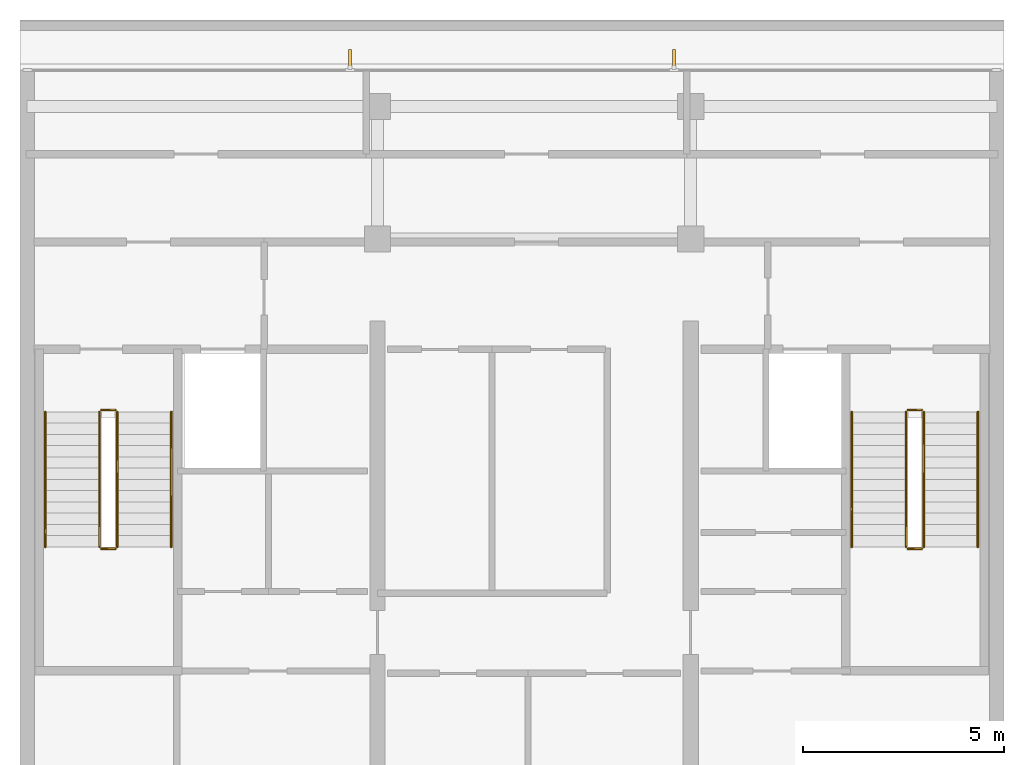
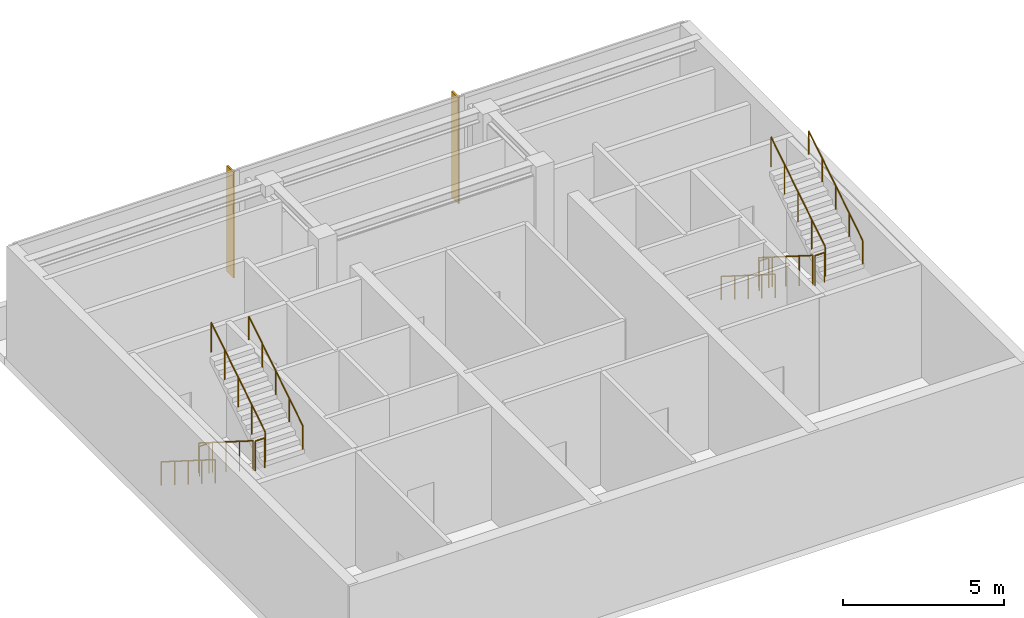
# One storey, part 4 of 4: 12 railings, 2 shading devices.
"""IFC4 building model written with IfcOpenShell, lengths in metres."""

from ifc_helpers import new_model, si_unit, direction, frame, origin, origin_2d, place, context, subcontext, project, spatial, polyline, circle, outline, extrude, material, layer, layer_set, type_object, element, save


model = new_model("IFC4")

# Units and contexts
model_context = context("Model", 3, precision=1e-05, world=origin(), true_north=direction((0.0, 1.0)))
body_context = subcontext(model_context, "Body", "Model", "MODEL_VIEW")
ifc_project = project(units=[si_unit("LENGTHUNIT", "METRE"), si_unit("AREAUNIT", "SQUARE_METRE"), si_unit("VOLUMEUNIT", "CUBIC_METRE"), si_unit("PLANEANGLEUNIT", "RADIAN"), si_unit("MASSUNIT", "GRAM", prefix="KILO")], contexts=[model_context])

# Site, building, storey
site_placement = place(None, origin())
site = spatial("IfcSite", under=ifc_project, at=site_placement, CompositionType="ELEMENT")
building_placement = place(site_placement, origin())
building = spatial("IfcBuilding", under=site, at=building_placement, Name="Qalmaran Belvedere Hotel", CompositionType="ELEMENT")
storey_placement = place(building_placement, frame((0.0, 0.0, 312.5)))
storey = spatial("IfcBuildingStorey", under=building, at=storey_placement, Name="C04", CompositionType="ELEMENT", Elevation=312.5)

# Shading devices
ifc_material_1 = material(Name="Anodised Bronze Aluminium", Category="aluminium")
ifc_layer = layer(ifc_material_1, 0.06494140625, Name="Anodised Bronze Aluminium")
ifc_layer_set = layer_set([ifc_layer], Name="Anodised Bronze Aluminium")
shading_device_type = type_object("IfcShadingDeviceType", Name="FIN-BRNZ-420", PredefinedType="USERDEFINED", material=ifc_layer_set)
shading_device_1_placement = place(storey_placement, frame((0.0, 0.0, 0.159912109375)))
element("IfcShadingDevice", 1, at=shading_device_1_placement, inside=storey, type_object=shading_device_type, Name="C04 Bronze Fin 1", ObjectType="FIN", PredefinedType="USERDEFINED", context=body_context, shape_type="SweptSolid", body=[
    extrude(outline(polyline([(36.61572265625, 24.79248046875), (36.61572265625, 25.21240234375), (36.55078125, 25.21240234375), (36.55078125, 24.79248046875), (36.61572265625, 24.79248046875)])), origin(), (0.0, 0.0, 1.0), 4.02001953125),
])
shading_device_2_placement = place(storey_placement, frame((0.0, 0.0, 0.159912109375)))
element("IfcShadingDevice", 2, at=shading_device_2_placement, inside=storey, type_object=shading_device_type, Name="C04 Bronze Fin 2", ObjectType="FIN", PredefinedType="USERDEFINED", context=body_context, shape_type="SweptSolid", body=[
    extrude(outline(polyline([(28.54931640625, 24.79248046875), (28.54931640625, 25.21240234375), (28.484130859375, 25.21240234375), (28.484130859375, 24.79248046875), (28.54931640625, 24.79248046875)])), origin(), (0.0, 0.0, 1.0), 4.02001953125),
])

# Railings
ifc_material_2 = material(Name="Stainless Steel 1.4401", Category="steel")
railing_type_1 = type_object("IfcRailingType", Name="RLG-STAIR-GUARD-1150", PredefinedType="GUARDRAIL", material=ifc_material_2)
railing_1_placement = place(storey_placement, frame((22.280029296875, 16.18994140625, 0.177001953125)))
element("IfcRailing", 3, at=railing_1_placement, inside=storey, type_object=railing_type_1, Name="C04 ST-1 stair guard 1", PredefinedType="GUARDRAIL", context=body_context, shape_type="SweptSolid", body=[
    extrude(circle(Radius=0.02392578125, at=origin_2d()), frame((0.0, 0.0, 1.1259765625), z_axis=(0.0, -0.845372108799, 0.534177870812), x_axis=(1.0, 0.0, 0.0)), (0.0, 0.0, 1.0), 3.974365234375),
    extrude(circle(Radius=0.02099609375, at=origin_2d()), origin(), (0.0, 0.0, 1.0), 1.101806640625),
    extrude(circle(Radius=0.02099609375, at=origin_2d()), frame((0.0, -0.83984375, 0.53076171875)), (0.0, 0.0, 1.0), 1.101806640625),
    extrude(circle(Radius=0.02099609375, at=origin_2d()), frame((0.0, -1.679931640625, 1.0615234375)), (0.0, 0.0, 1.0), 1.101806640625),
    extrude(circle(Radius=0.02099609375, at=origin_2d()), frame((0.0, -2.52001953125, 1.59228515625)), (0.0, 0.0, 1.0), 1.101806640625),
    extrude(circle(Radius=0.02099609375, at=origin_2d()), frame((0.0, -3.35986328125, 2.123046875)), (0.0, 0.0, 1.0), 1.101806640625),
])
railing_2_placement = place(storey_placement, frame((22.330078125, 12.780029296875, 2.300048828125)))
element("IfcRailing", 4, at=railing_2_placement, inside=storey, type_object=railing_type_1, Name="C04 ST-1 stair guard 2", PredefinedType="GUARDRAIL", context=body_context, shape_type="SweptSolid", body=[
    extrude(circle(Radius=0.02392578125, at=origin_2d()), frame((0.0, 0.0, 1.1259765625), z_axis=(1.0, 0.0, 0.0), x_axis=(0.0, 1.0, 0.0)), (0.0, 0.0, 1.0), 0.33984375),
    extrude(circle(Radius=0.02099609375, at=origin_2d()), origin(), (0.0, 0.0, 1.0), 1.101806640625),
    extrude(circle(Radius=0.02099609375, at=origin_2d()), frame((0.33984375, 0.0, 0.0)), (0.0, 0.0, 1.0), 1.101806640625),
])
railing_3_placement = place(storey_placement, frame((22.719970703125, 12.830078125, 2.476806640625)))
element("IfcRailing", 5, at=railing_3_placement, inside=storey, type_object=railing_type_1, Name="C04 ST-1 stair guard 3", PredefinedType="GUARDRAIL", context=body_context, shape_type="SweptSolid", body=[
    extrude(circle(Radius=0.02392578125, at=origin_2d()), frame((0.0, 0.0, 1.1259765625), z_axis=(0.0, 0.845344368971, 0.534221768416), x_axis=(-1.0, 0.0, 0.0)), (0.0, 0.0, 1.0), 3.974609375),
    extrude(circle(Radius=0.02099609375, at=origin_2d()), origin(), (0.0, 0.0, 1.0), 1.101806640625),
    extrude(circle(Radius=0.02099609375, at=origin_2d()), frame((0.0, 0.83984375, 0.53076171875)), (0.0, 0.0, 1.0), 1.101806640625),
    extrude(circle(Radius=0.02099609375, at=origin_2d()), frame((0.0, 1.679931640625, 1.0615234375)), (0.0, 0.0, 1.0), 1.101806640625),
    extrude(circle(Radius=0.02099609375, at=origin_2d()), frame((0.0, 2.52001953125, 1.592529296875)), (0.0, 0.0, 1.0), 1.101806640625),
    extrude(circle(Radius=0.02099609375, at=origin_2d()), frame((0.0, 3.35986328125, 2.123291015625)), (0.0, 0.0, 1.0), 1.101806640625),
])
railing_4_placement = place(storey_placement, frame((22.330078125, 16.239990234375, 0.0)))
element("IfcRailing", 6, at=railing_4_placement, inside=storey, type_object=railing_type_1, Name="C04 ST-1 stair guard 4", PredefinedType="GUARDRAIL", context=body_context, shape_type="SweptSolid", body=[
    extrude(circle(Radius=0.02392578125, at=origin_2d()), frame((0.0, 0.0, 1.1259765625), z_axis=(1.0, 0.0, 0.0), x_axis=(0.0, 1.0, 0.0)), (0.0, 0.0, 1.0), 0.33984375),
    extrude(circle(Radius=0.02099609375, at=origin_2d()), origin(), (0.0, 0.0, 1.0), 1.101806640625),
    extrude(circle(Radius=0.02099609375, at=origin_2d()), frame((0.33984375, 0.0, 0.0)), (0.0, 0.0, 1.0), 1.101806640625),
])
railing_5_placement = place(storey_placement, frame((42.360107421875, 16.18994140625, 0.177001953125)))
element("IfcRailing", 7, at=railing_5_placement, inside=storey, type_object=railing_type_1, Name="C04 ST-2 stair guard 1", PredefinedType="GUARDRAIL", context=body_context, shape_type="SweptSolid", body=[
    extrude(circle(Radius=0.02392578125, at=origin_2d()), frame((0.0, 0.0, 1.1259765625), z_axis=(0.0, -0.845372108799, 0.534177870812), x_axis=(1.0, 0.0, 0.0)), (0.0, 0.0, 1.0), 3.974365234375),
    extrude(circle(Radius=0.02099609375, at=origin_2d()), origin(), (0.0, 0.0, 1.0), 1.101806640625),
    extrude(circle(Radius=0.02099609375, at=origin_2d()), frame((0.0, -0.83984375, 0.53076171875)), (0.0, 0.0, 1.0), 1.101806640625),
    extrude(circle(Radius=0.02099609375, at=origin_2d()), frame((0.0, -1.679931640625, 1.0615234375)), (0.0, 0.0, 1.0), 1.101806640625),
    extrude(circle(Radius=0.02099609375, at=origin_2d()), frame((0.0, -2.52001953125, 1.59228515625)), (0.0, 0.0, 1.0), 1.101806640625),
    extrude(circle(Radius=0.02099609375, at=origin_2d()), frame((0.0, -3.35986328125, 2.123046875)), (0.0, 0.0, 1.0), 1.101806640625),
])
railing_6_placement = place(storey_placement, frame((42.409912109375, 12.780029296875, 2.300048828125)))
element("IfcRailing", 8, at=railing_6_placement, inside=storey, type_object=railing_type_1, Name="C04 ST-2 stair guard 2", PredefinedType="GUARDRAIL", context=body_context, shape_type="SweptSolid", body=[
    extrude(circle(Radius=0.02392578125, at=origin_2d()), frame((0.0, 0.0, 1.1259765625), z_axis=(1.0, 0.0, 0.0), x_axis=(0.0, 1.0, 0.0)), (0.0, 0.0, 1.0), 0.340087890625),
    extrude(circle(Radius=0.02099609375, at=origin_2d()), origin(), (0.0, 0.0, 1.0), 1.101806640625),
    extrude(circle(Radius=0.02099609375, at=origin_2d()), frame((0.340087890625, 0.0, 0.0)), (0.0, 0.0, 1.0), 1.101806640625),
])
railing_7_placement = place(storey_placement, frame((42.800048828125, 12.830078125, 2.476806640625)))
element("IfcRailing", 9, at=railing_7_placement, inside=storey, type_object=railing_type_1, Name="C04 ST-2 stair guard 3", PredefinedType="GUARDRAIL", context=body_context, shape_type="SweptSolid", body=[
    extrude(circle(Radius=0.02392578125, at=origin_2d()), frame((0.0, 0.0, 1.1259765625), z_axis=(0.0, 0.845344368971, 0.534221768416), x_axis=(-1.0, 0.0, 0.0)), (0.0, 0.0, 1.0), 3.974609375),
    extrude(circle(Radius=0.02099609375, at=origin_2d()), origin(), (0.0, 0.0, 1.0), 1.101806640625),
    extrude(circle(Radius=0.02099609375, at=origin_2d()), frame((0.0, 0.83984375, 0.53076171875)), (0.0, 0.0, 1.0), 1.101806640625),
    extrude(circle(Radius=0.02099609375, at=origin_2d()), frame((0.0, 1.679931640625, 1.0615234375)), (0.0, 0.0, 1.0), 1.101806640625),
    extrude(circle(Radius=0.02099609375, at=origin_2d()), frame((0.0, 2.52001953125, 1.592529296875)), (0.0, 0.0, 1.0), 1.101806640625),
    extrude(circle(Radius=0.02099609375, at=origin_2d()), frame((0.0, 3.35986328125, 2.123291015625)), (0.0, 0.0, 1.0), 1.101806640625),
])
railing_8_placement = place(storey_placement, frame((42.409912109375, 16.239990234375, 0.0)))
element("IfcRailing", 10, at=railing_8_placement, inside=storey, type_object=railing_type_1, Name="C04 ST-2 stair guard 4", PredefinedType="GUARDRAIL", context=body_context, shape_type="SweptSolid", body=[
    extrude(circle(Radius=0.02392578125, at=origin_2d()), frame((0.0, 0.0, 1.1259765625), z_axis=(1.0, 0.0, 0.0), x_axis=(0.0, 1.0, 0.0)), (0.0, 0.0, 1.0), 0.340087890625),
    extrude(circle(Radius=0.02099609375, at=origin_2d()), origin(), (0.0, 0.0, 1.0), 1.101806640625),
    extrude(circle(Radius=0.02099609375, at=origin_2d()), frame((0.340087890625, 0.0, 0.0)), (0.0, 0.0, 1.0), 1.101806640625),
])
railing_type_2 = type_object("IfcRailingType", Name="RLG-STAIR-HAND-910", PredefinedType="HANDRAIL", material=ifc_material_2)
railing_9_placement = place(storey_placement, frame((20.929931640625, 16.18994140625, 0.177001953125)))
element("IfcRailing", 11, at=railing_9_placement, inside=storey, type_object=railing_type_2, Name="C04 ST-1 stair handrail 1", PredefinedType="HANDRAIL", context=body_context, shape_type="SweptSolid", body=[
    extrude(circle(Radius=0.02392578125, at=origin_2d()), frame((0.0, 0.0, 0.8857421875), z_axis=(0.0, -0.845372108799, 0.534177870812), x_axis=(1.0, 0.0, 0.0)), (0.0, 0.0, 1.0), 3.974365234375),
    extrude(circle(Radius=0.02099609375, at=origin_2d()), origin(), (0.0, 0.0, 1.0), 0.86181640625),
    extrude(circle(Radius=0.02099609375, at=origin_2d()), frame((0.0, -0.83984375, 0.53076171875)), (0.0, 0.0, 1.0), 0.86181640625),
    extrude(circle(Radius=0.02099609375, at=origin_2d()), frame((0.0, -1.679931640625, 1.0615234375)), (0.0, 0.0, 1.0), 0.86181640625),
    extrude(circle(Radius=0.02099609375, at=origin_2d()), frame((0.0, -2.52001953125, 1.59228515625)), (0.0, 0.0, 1.0), 0.86181640625),
    extrude(circle(Radius=0.02099609375, at=origin_2d()), frame((0.0, -3.35986328125, 2.123046875)), (0.0, 0.0, 1.0), 0.86181640625),
])
railing_10_placement = place(storey_placement, frame((24.070068359375, 12.830078125, 2.476806640625)))
element("IfcRailing", 12, at=railing_10_placement, inside=storey, type_object=railing_type_2, Name="C04 ST-1 stair handrail 2", PredefinedType="HANDRAIL", context=body_context, shape_type="SweptSolid", body=[
    extrude(circle(Radius=0.02392578125, at=origin_2d()), frame((0.0, 0.0, 0.8857421875), z_axis=(0.0, 0.845344368971, 0.534221768416), x_axis=(-1.0, 0.0, 0.0)), (0.0, 0.0, 1.0), 3.974609375),
    extrude(circle(Radius=0.02099609375, at=origin_2d()), origin(), (0.0, 0.0, 1.0), 0.86181640625),
    extrude(circle(Radius=0.02099609375, at=origin_2d()), frame((0.0, 0.83984375, 0.53076171875)), (0.0, 0.0, 1.0), 0.86181640625),
    extrude(circle(Radius=0.02099609375, at=origin_2d()), frame((0.0, 1.679931640625, 1.0615234375)), (0.0, 0.0, 1.0), 0.86181640625),
    extrude(circle(Radius=0.02099609375, at=origin_2d()), frame((0.0, 2.52001953125, 1.592529296875)), (0.0, 0.0, 1.0), 0.86181640625),
    extrude(circle(Radius=0.02099609375, at=origin_2d()), frame((0.0, 3.35986328125, 2.123291015625)), (0.0, 0.0, 1.0), 0.86181640625),
])
railing_11_placement = place(storey_placement, frame((41.010009765625, 16.18994140625, 0.177001953125)))
element("IfcRailing", 13, at=railing_11_placement, inside=storey, type_object=railing_type_2, Name="C04 ST-2 stair handrail 1", PredefinedType="HANDRAIL", context=body_context, shape_type="SweptSolid", body=[
    extrude(circle(Radius=0.02392578125, at=origin_2d()), frame((0.0, 0.0, 0.8857421875), z_axis=(0.0, -0.845372108799, 0.534177870812), x_axis=(1.0, 0.0, 0.0)), (0.0, 0.0, 1.0), 3.974365234375),
    extrude(circle(Radius=0.02099609375, at=origin_2d()), origin(), (0.0, 0.0, 1.0), 0.86181640625),
    extrude(circle(Radius=0.02099609375, at=origin_2d()), frame((0.0, -0.83984375, 0.53076171875)), (0.0, 0.0, 1.0), 0.86181640625),
    extrude(circle(Radius=0.02099609375, at=origin_2d()), frame((0.0, -1.679931640625, 1.0615234375)), (0.0, 0.0, 1.0), 0.86181640625),
    extrude(circle(Radius=0.02099609375, at=origin_2d()), frame((0.0, -2.52001953125, 1.59228515625)), (0.0, 0.0, 1.0), 0.86181640625),
    extrude(circle(Radius=0.02099609375, at=origin_2d()), frame((0.0, -3.35986328125, 2.123046875)), (0.0, 0.0, 1.0), 0.86181640625),
])
railing_12_placement = place(storey_placement, frame((44.14990234375, 12.830078125, 2.476806640625)))
element("IfcRailing", 14, at=railing_12_placement, inside=storey, type_object=railing_type_2, Name="C04 ST-2 stair handrail 2", PredefinedType="HANDRAIL", context=body_context, shape_type="SweptSolid", body=[
    extrude(circle(Radius=0.02392578125, at=origin_2d()), frame((0.0, 0.0, 0.8857421875), z_axis=(0.0, 0.845344368971, 0.534221768416), x_axis=(-1.0, 0.0, 0.0)), (0.0, 0.0, 1.0), 3.974609375),
    extrude(circle(Radius=0.02099609375, at=origin_2d()), origin(), (0.0, 0.0, 1.0), 0.86181640625),
    extrude(circle(Radius=0.02099609375, at=origin_2d()), frame((0.0, 0.83984375, 0.53076171875)), (0.0, 0.0, 1.0), 0.86181640625),
    extrude(circle(Radius=0.02099609375, at=origin_2d()), frame((0.0, 1.679931640625, 1.0615234375)), (0.0, 0.0, 1.0), 0.86181640625),
    extrude(circle(Radius=0.02099609375, at=origin_2d()), frame((0.0, 2.52001953125, 1.592529296875)), (0.0, 0.0, 1.0), 0.86181640625),
    extrude(circle(Radius=0.02099609375, at=origin_2d()), frame((0.0, 3.35986328125, 2.123291015625)), (0.0, 0.0, 1.0), 0.86181640625),
])

save(model, "model.ifc")
